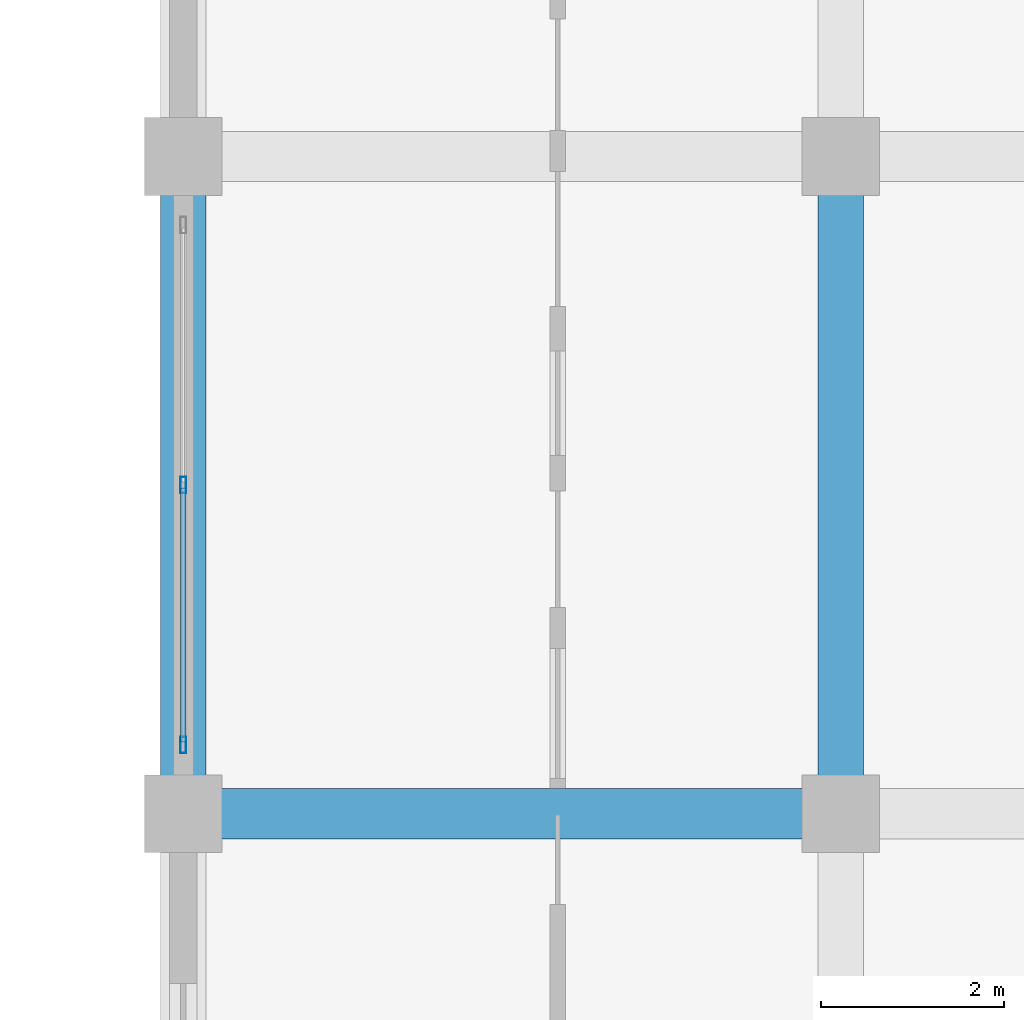
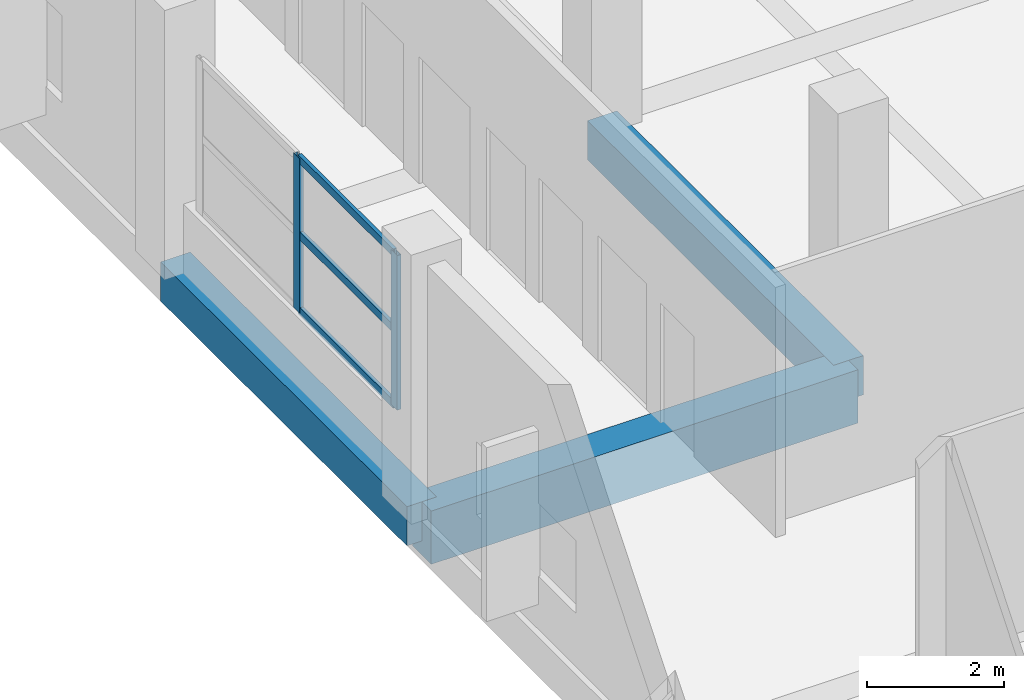
# One storey, part 117 of 181: 5 members, 3 beams, 1 element without a shape of its own.
"""IFC4 building model written with IfcOpenShell, lengths in metres."""

from ifc_helpers import new_model, si_unit, direction, frame, origin, origin_2d, place, context, subcontext, project, spatial, rectangle, hollow_rectangle, extrude, material, layer, layer_set, material_profile, profile_set, type_object, element, aggregate, save


model = new_model("IFC4")

# Units and contexts
model_context = context("Model", 3, precision=1e-05, world=origin(), true_north=direction((0.0, 1.0)))
body_context = subcontext(model_context, "Body", "Model", "MODEL_VIEW")
ifc_project = project(units=[si_unit("LENGTHUNIT", "METRE"), si_unit("AREAUNIT", "SQUARE_METRE"), si_unit("VOLUMEUNIT", "CUBIC_METRE"), si_unit("PLANEANGLEUNIT", "RADIAN"), si_unit("MASSUNIT", "GRAM", prefix="KILO")], contexts=[model_context])

# Site, building, storey
site_placement = place(None, origin())
site = spatial("IfcSite", under=ifc_project, at=site_placement, CompositionType="ELEMENT")
building_placement = place(site_placement, origin())
building = spatial("IfcBuilding", under=site, at=building_placement, Name="Seraya Terrace Polytechnic", CompositionType="ELEMENT")
storey_placement = place(building_placement, frame((0.0, 0.0, 4.800048828125)))
storey = spatial("IfcBuildingStorey", under=building, at=storey_placement, Name="L01", CompositionType="ELEMENT", Elevation=4.800048828125)

# Beams
ifc_material_1 = material(Name="Concrete C40/50", Category="concrete")
ifc_material_profile_1 = material_profile(ifc_material_1, rectangle(XDim=0.550048828125, YDim=0.949951171875, at=origin_2d()), Name="RC 550x950")
ifc_profile_set_1 = profile_set([ifc_material_profile_1], Name="Concrete C40/50")
beam_type_1 = type_object("IfcBeamType", Name="BM-03", PredefinedType="BEAM", material=ifc_profile_set_1)
beam_placement = place(storey_placement, frame((144.0, 43.199951171875, -0.47509765625), z_axis=(1.0, 0.0, 0.0), x_axis=(0.0, 1.0, 0.0)))
element("IfcBeam", 1, at=beam_placement, inside=storey, type_object=beam_type_1, Name="Beam BM-03 L01 X (144.0..151.2, 43.2)", PredefinedType="BEAM", context=body_context, shape_type="SweptSolid", body=[
    extrude(rectangle(XDim=0.550048828125, YDim=0.949951171875, at=origin_2d()), origin(), (0.0, 0.0, 1.0), 7.199951171875),
])
ifc_material_profile_2 = material_profile(ifc_material_1, rectangle(XDim=0.5, YDim=0.699951171875, at=origin_2d()), Name="RC 500x700")
ifc_profile_set_2 = profile_set([ifc_material_profile_2], Name="Concrete C40/50")
beam_type_2 = type_object("IfcBeamType", Name="BM-07", PredefinedType="BEAM", material=ifc_profile_set_2)
for number, where, z_axis, x_axis, name in (
    (2, (144.0, 43.199951171875, -0.35009765625), (0.0, 1.0, 0.0), (-1.0, 0.0, 0.0), "Beam BM-07 L01 Y (144.0, 43.2..50.4)"),
    (3, (151.199951171875, 43.199951171875, -0.35009765625), (0.0, 1.0, 0.0), (-1.0, 0.0, 0.0), "Beam BM-07 L01 Y (151.2, 43.2..50.4)"),
):
    element("IfcBeam", number, at=place(storey_placement, frame(where, z_axis=z_axis, x_axis=x_axis)), inside=storey, type_object=beam_type_2, Name=name, PredefinedType="BEAM", context=body_context, shape_type="SweptSolid", body=[
        extrude(rectangle(XDim=0.5, YDim=0.699951171875, at=origin_2d()), origin(), (0.0, 0.0, 1.0), 7.199951171875),
    ])

# Curtain wall, members
ifc_material_2 = material(Name="Anodised aluminium EN AW-6063 T6", Category="aluminium")
ifc_layer = layer(ifc_material_2, 0.179931640625, Name="CW-10")
ifc_layer_set = layer_set([ifc_layer], Name="Anodised aluminium EN AW-6063 T6")
curtain_wall_type = type_object("IfcCurtainWallType", Name="CW-10", PredefinedType="NOTDEFINED", material=ifc_layer_set)
curtain_wall_placement = place(storey_placement, origin())
curtain_wall = element("IfcCurtainWall", 4, at=curtain_wall_placement, inside=storey, type_object=curtain_wall_type, Name="Unitised curtain wall CW-10 (CW-L01-046)", PredefinedType="NOTDEFINED")
ifc_material_profile_3 = material_profile(ifc_material_2, hollow_rectangle(XDim=0.06494140625, YDim=0.179931640625, WallThickness=0.00390625, at=origin_2d()), Name="RHS 180x65x4.0")
ifc_profile_set_3 = profile_set([ifc_material_profile_3], Name="Anodised aluminium EN AW-6063 T6")
member_type_1 = type_object("IfcMemberType", Name="CWM-01", PredefinedType="MULLION", material=ifc_profile_set_3)
member_1_placement = place(storey_placement, frame((144.0, 43.952392578125, 1.239990234375), z_axis=(0.0, 0.0, 1.0), x_axis=(-1.0, 0.0, 0.0)))
member_1 = element("IfcMember", 5, at=member_1_placement, type_object=member_type_1, Name="CW-10 mullion 1", PredefinedType="MULLION", context=body_context, shape_type="SweptSolid", body=[
    extrude(hollow_rectangle(XDim=0.06494140625, YDim=0.179931640625, WallThickness=0.00390625, at=origin_2d()), origin(), (0.0, 0.0, 1.0), 2.760009765625),
])
member_2_placement = place(storey_placement, frame((144.0, 46.800048828125, 1.239990234375), z_axis=(0.0, 0.0, 1.0), x_axis=(-1.0, 0.0, 0.0)))
member_2 = element("IfcMember", 6, at=member_2_placement, type_object=member_type_1, Name="CW-10 mullion 2", PredefinedType="MULLION", context=body_context, shape_type="SweptSolid", body=[
    extrude(hollow_rectangle(XDim=0.06494140625, YDim=0.179931640625, WallThickness=0.00390625, at=origin_2d()), origin(), (0.0, 0.0, 1.0), 2.760009765625),
])
ifc_material_profile_4 = material_profile(ifc_material_2, hollow_rectangle(XDim=0.06005859375, YDim=0.139892578125, WallThickness=0.00341796875, at=origin_2d()), Name="RHS 140x60x3.5")
ifc_profile_set_4 = profile_set([ifc_material_profile_4], Name="Anodised aluminium EN AW-6063 T6")
member_type_2 = type_object("IfcMemberType", Name="CWT-01", PredefinedType="USERDEFINED", material=ifc_profile_set_4)
member_3_placement = place(storey_placement, frame((144.0, 43.985107421875, 1.27001953125), z_axis=(0.0, 1.0, 0.0), x_axis=(-1.0, 0.0, 0.0)))
member_3 = element("IfcMember", 7, at=member_3_placement, type_object=member_type_2, Name="CW-10 transom 1.1", ObjectType="TRANSOM", PredefinedType="USERDEFINED", context=body_context, shape_type="SweptSolid", body=[
    extrude(hollow_rectangle(XDim=0.06005859375, YDim=0.139892578125, WallThickness=0.00341796875, at=origin_2d()), origin(), (0.0, 0.0, 1.0), 2.782470703125),
])
member_4_placement = place(storey_placement, frame((144.0, 43.985107421875, 2.619873046875), z_axis=(0.0, 1.0, 0.0), x_axis=(-1.0, 0.0, 0.0)))
member_4 = element("IfcMember", 8, at=member_4_placement, type_object=member_type_2, Name="CW-10 transom 1.2", ObjectType="TRANSOM", PredefinedType="USERDEFINED", context=body_context, shape_type="SweptSolid", body=[
    extrude(hollow_rectangle(XDim=0.06005859375, YDim=0.139892578125, WallThickness=0.00341796875, at=origin_2d()), origin(), (0.0, 0.0, 1.0), 2.782470703125),
])
member_5_placement = place(storey_placement, frame((144.0, 43.985107421875, 3.969970703125), z_axis=(0.0, 1.0, 0.0), x_axis=(-1.0, 0.0, 0.0)))
member_5 = element("IfcMember", 9, at=member_5_placement, type_object=member_type_2, Name="CW-10 transom 1.3", ObjectType="TRANSOM", PredefinedType="USERDEFINED", context=body_context, shape_type="SweptSolid", body=[
    extrude(hollow_rectangle(XDim=0.06005859375, YDim=0.139892578125, WallThickness=0.00341796875, at=origin_2d()), origin(), (0.0, 0.0, 1.0), 2.782470703125),
])
aggregate(curtain_wall, [member_1, member_2, member_3, member_4, member_5])

save(model, "model.ifc")
